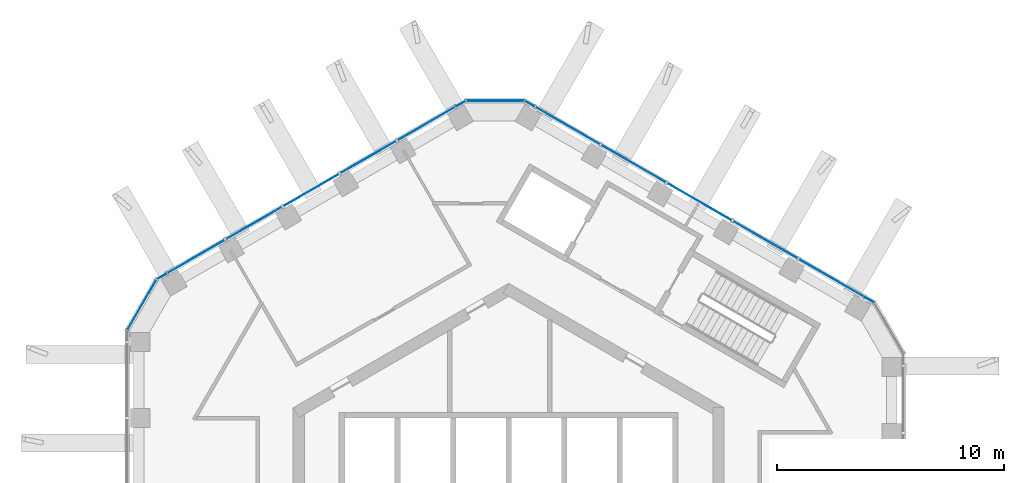
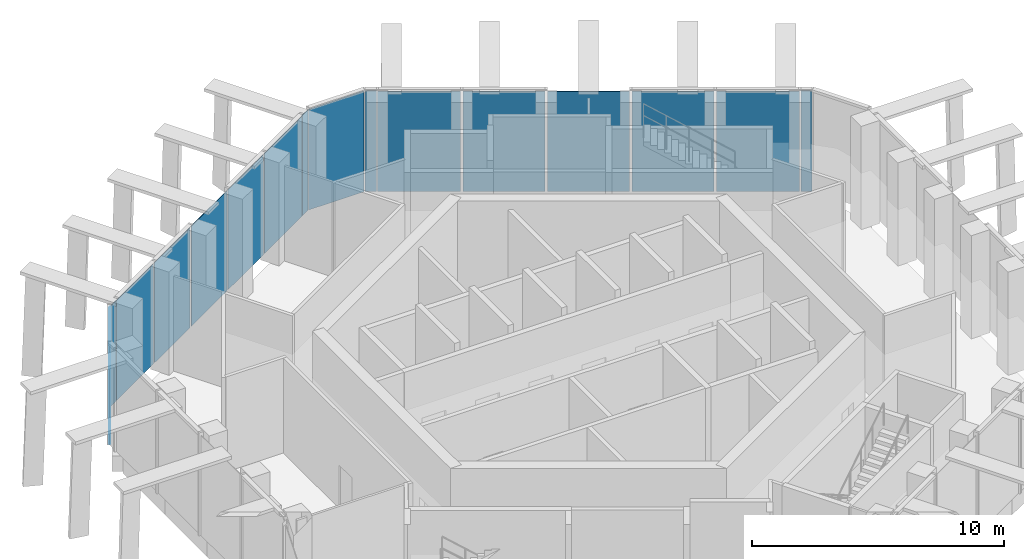
# One storey, part 10 of 17: 16 plates, 5 elements without a shape of their own.
"""IFC4 building model written with IfcOpenShell, lengths in metres."""

from ifc_helpers import new_model, si_unit, direction, frame, origin, origin_2d, place, context, subcontext, project, spatial, rectangle, extrude, material, layer, layer_set, type_object, element, aggregate, save


model = new_model("IFC4")

# Units and contexts
model_context = context("Model", 3, precision=1e-05, world=origin(), true_north=direction((0.0, 1.0)))
body_context = subcontext(model_context, "Body", "Model", "MODEL_VIEW")
ifc_project = project(units=[si_unit("LENGTHUNIT", "METRE"), si_unit("AREAUNIT", "SQUARE_METRE"), si_unit("VOLUMEUNIT", "CUBIC_METRE"), si_unit("PLANEANGLEUNIT", "RADIAN"), si_unit("MASSUNIT", "GRAM", prefix="KILO")], contexts=[model_context])

# Site, building, storey
site_placement = place(None, origin())
site = spatial("IfcSite", under=ifc_project, at=site_placement, CompositionType="ELEMENT")
building_placement = place(site_placement, origin())
building = spatial("IfcBuilding", under=site, at=building_placement, Name="Ayvan Gate Tower", CompositionType="ELEMENT")
storey_placement = place(building_placement, frame((0.0, 0.0, 252.89990234375)))
storey = spatial("IfcBuildingStorey", under=building, at=storey_placement, Name="L68", CompositionType="ELEMENT", Elevation=252.89990234375)

# Curtain wall, plates
ifc_material_1 = material(Name="Bronze anodised aluminium", Category="aluminium")
ifc_layer_1 = layer(ifc_material_1, 0.199951171875)
ifc_layer_set_1 = layer_set([ifc_layer_1], Name="Bronze anodised aluminium")
curtain_wall_type_1 = type_object("IfcCurtainWallType", Name="Stick curtain wall CW-5", PredefinedType="NOTDEFINED", material=ifc_layer_set_1)
curtain_wall_1_placement = place(storey_placement, origin())
curtain_wall_1 = element("IfcCurtainWall", 1, at=curtain_wall_1_placement, inside=storey, type_object=curtain_wall_type_1, Name="Stick curtain wall CW-5 L68", PredefinedType="NOTDEFINED")
ifc_material_2 = material(Name="Clear low-iron laminated glass", Category="glass")
ifc_layer_2 = layer(ifc_material_2, 0.028076171875)
ifc_layer_set_2 = layer_set([ifc_layer_2], Name="Clear low-iron laminated glass")
plate_type_1 = type_object("IfcPlateType", Name="Stick curtain wall CW-5 glass panel", PredefinedType="CURTAIN_PANEL", material=ifc_layer_set_2)
plate_1_placement = place(storey_placement, frame((-3.609130859375, 18.0224609375, 0.0), z_axis=(0.0, 0.0, 1.0), x_axis=(-0.866025403784, -0.5, 0.0)))
plate_1 = element("IfcPlate", 2, at=plate_1_placement, type_object=plate_type_1, Name="CW-5 glass panel 1", PredefinedType="CURTAIN_PANEL", context=body_context, shape_type="SweptSolid", body=[
    extrude(rectangle(XDim=2.94189453125, YDim=0.028076171875, at=origin_2d()), origin(), (0.0, 0.0, 1.0), 4.85009765625),
])
plate_2_placement = place(storey_placement, frame((-6.183349609375, 16.536376953125, 0.0), z_axis=(0.0, 0.0, 1.0), x_axis=(-0.866025403784, -0.5, 0.0)))
plate_2 = element("IfcPlate", 3, at=plate_2_placement, type_object=plate_type_1, Name="CW-5 glass panel 2", PredefinedType="CURTAIN_PANEL", context=body_context, shape_type="SweptSolid", body=[
    extrude(rectangle(XDim=2.822998046875, YDim=0.028076171875, at=origin_2d()), origin(), (0.0, 0.0, 1.0), 4.85009765625),
])
plate_3_placement = place(storey_placement, frame((-8.7060546875, 15.079833984375, 0.0), z_axis=(0.0, 0.0, 1.0), x_axis=(-0.866025403784, -0.5, 0.0)))
plate_3 = element("IfcPlate", 4, at=plate_3_placement, type_object=plate_type_1, Name="CW-5 glass panel 3", PredefinedType="CURTAIN_PANEL", context=body_context, shape_type="SweptSolid", body=[
    extrude(rectangle(XDim=2.822998046875, YDim=0.028076171875, at=origin_2d()), origin(), (0.0, 0.0, 1.0), 4.85009765625),
])
plate_4_placement = place(storey_placement, frame((-11.228759765625, 13.623291015625, 0.0), z_axis=(0.0, 0.0, 1.0), x_axis=(-0.866025403784, -0.5, 0.0)))
plate_4 = element("IfcPlate", 5, at=plate_4_placement, type_object=plate_type_1, Name="CW-5 glass panel 4", PredefinedType="CURTAIN_PANEL", context=body_context, shape_type="SweptSolid", body=[
    extrude(rectangle(XDim=2.822998046875, YDim=0.028076171875, at=origin_2d()), origin(), (0.0, 0.0, 1.0), 4.85009765625),
])
plate_5_placement = place(storey_placement, frame((-13.80322265625, 12.136962890625, 0.0), z_axis=(0.0, 0.0, 1.0), x_axis=(-0.866025403784, -0.5, 0.0)))
plate_5 = element("IfcPlate", 6, at=plate_5_placement, type_object=plate_type_1, Name="CW-5 glass panel 5", PredefinedType="CURTAIN_PANEL", context=body_context, shape_type="SweptSolid", body=[
    extrude(rectangle(XDim=2.942626953125, YDim=0.028076171875, at=origin_2d()), origin(), (0.0, 0.0, 1.0), 4.85009765625),
])
aggregate(curtain_wall_1, [plate_1, plate_2, plate_3, plate_4, plate_5])

curtain_wall_2_placement = place(storey_placement, origin())
curtain_wall_2 = element("IfcCurtainWall", 7, at=curtain_wall_2_placement, inside=storey, type_object=curtain_wall_type_1, Name="Stick curtain wall CW-5 L68", PredefinedType="NOTDEFINED")
plate_6_placement = place(storey_placement, frame((14.238525390625, 11.200439453125, 0.0), z_axis=(0.0, 0.0, 1.0), x_axis=(-0.866025403784, 0.5, 0.0)))
plate_6 = element("IfcPlate", 8, at=plate_6_placement, type_object=plate_type_1, Name="CW-5 glass panel 1", PredefinedType="CURTAIN_PANEL", context=body_context, shape_type="SweptSolid", body=[
    extrude(rectangle(XDim=3.30810546875, YDim=0.028076171875, at=origin_2d()), origin(), (0.0, 0.0, 1.0), 4.85009765625),
])
plate_7_placement = place(storey_placement, frame((11.314453125, 12.888671875, 0.0), z_axis=(0.0, 0.0, 1.0), x_axis=(-0.866025403784, 0.5, 0.0)))
plate_7 = element("IfcPlate", 9, at=plate_7_placement, type_object=plate_type_1, Name="CW-5 glass panel 2", PredefinedType="CURTAIN_PANEL", context=body_context, shape_type="SweptSolid", body=[
    extrude(rectangle(XDim=3.264892578125, YDim=0.028076171875, at=origin_2d()), origin(), (0.0, 0.0, 1.0), 4.85009765625),
])
plate_8_placement = place(storey_placement, frame((8.4091796875, 14.56591796875, 0.0), z_axis=(0.0, 0.0, 1.0), x_axis=(-0.866025403784, 0.5, 0.0)))
plate_8 = element("IfcPlate", 10, at=plate_8_placement, type_object=plate_type_1, Name="CW-5 glass panel 3", PredefinedType="CURTAIN_PANEL", context=body_context, shape_type="SweptSolid", body=[
    extrude(rectangle(XDim=3.263916015625, YDim=0.028076171875, at=origin_2d()), origin(), (0.0, 0.0, 1.0), 4.85009765625),
])
plate_9_placement = place(storey_placement, frame((5.504638671875, 16.242919921875, 0.0), z_axis=(0.0, 0.0, 1.0), x_axis=(-0.866025403784, 0.5, 0.0)))
plate_9 = element("IfcPlate", 11, at=plate_9_placement, type_object=plate_type_1, Name="CW-5 glass panel 4", PredefinedType="CURTAIN_PANEL", context=body_context, shape_type="SweptSolid", body=[
    extrude(rectangle(XDim=3.263916015625, YDim=0.028076171875, at=origin_2d()), origin(), (0.0, 0.0, 1.0), 4.85009765625),
])
plate_10_placement = place(storey_placement, frame((2.580810546875, 17.930908203125, 0.0), z_axis=(0.0, 0.0, 1.0), x_axis=(-0.866025403784, 0.5, 0.0)))
plate_10 = element("IfcPlate", 12, at=plate_10_placement, type_object=plate_type_1, Name="CW-5 glass panel 5", PredefinedType="CURTAIN_PANEL", context=body_context, shape_type="SweptSolid", body=[
    extrude(rectangle(XDim=3.308349609375, YDim=0.028076171875, at=origin_2d()), origin(), (0.0, 0.0, 1.0), 4.85009765625),
])
aggregate(curtain_wall_2, [plate_6, plate_7, plate_8, plate_9, plate_10])

ifc_layer_3 = layer(ifc_material_1, 0.199951171875)
ifc_layer_set_3 = layer_set([ifc_layer_3], Name="Bronze anodised aluminium")
curtain_wall_type_2 = type_object("IfcCurtainWallType", Name="Stick curtain wall CW-6", PredefinedType="NOTDEFINED", material=ifc_layer_set_3)
curtain_wall_3_placement = place(storey_placement, origin())
curtain_wall_3 = element("IfcCurtainWall", 13, at=curtain_wall_3_placement, inside=storey, type_object=curtain_wall_type_2, Name="Stick curtain wall CW-6 L68", PredefinedType="NOTDEFINED")
ifc_layer_4 = layer(ifc_material_2, 0.028076171875)
ifc_layer_set_4 = layer_set([ifc_layer_4], Name="Clear low-iron laminated glass")
plate_type_2 = type_object("IfcPlateType", Name="Stick curtain wall CW-6 glass panel", PredefinedType="CURTAIN_PANEL", material=ifc_layer_set_4)
plate_11_placement = place(storey_placement, frame((-15.311279296875, 11.266357421875, 0.000244140625), z_axis=(0.0, 0.0, 1.0), x_axis=(-0.866025403784, -0.5, 0.0)))
plate_11 = element("IfcPlate", 14, at=plate_11_placement, type_object=plate_type_2, Name="CW-6 glass panel 1", PredefinedType="CURTAIN_PANEL", context=body_context, shape_type="SweptSolid", body=[
    extrude(rectangle(XDim=0.449951171875, YDim=0.028076171875, at=origin_2d()), origin(), (0.0, 0.0, 1.0), 4.8798828125),
])
plate_12_placement = place(storey_placement, frame((-16.17333984375, 10.02294921875, 0.000244140625), z_axis=(0.0, 0.0, 1.0), x_axis=(-0.5, -0.866025403784, 0.0)))
plate_12 = element("IfcPlate", 15, at=plate_12_placement, type_object=plate_type_2, Name="CW-6 glass panel 2", PredefinedType="CURTAIN_PANEL", context=body_context, shape_type="SweptSolid", body=[
    extrude(rectangle(XDim=2.532470703125, YDim=0.028076171875, at=origin_2d()), origin(), (0.0, 0.0, 1.0), 4.8798828125),
])
aggregate(curtain_wall_3, [plate_11, plate_12])

# Curtain wall, plate
curtain_wall_4_placement = place(storey_placement, origin())
curtain_wall_4 = element("IfcCurtainWall", 16, at=curtain_wall_4_placement, inside=storey, type_object=curtain_wall_type_2, Name="Stick curtain wall CW-6 L68", PredefinedType="NOTDEFINED")
plate_13_placement = place(storey_placement, frame((15.90478515625, 10.23828125, 0.000244140625), z_axis=(0.0, 0.0, 1.0), x_axis=(-0.866025403784, 0.5, 0.0)))
plate_13 = element("IfcPlate", 17, at=plate_13_placement, type_object=plate_type_2, Name="CW-6 glass panel 3", PredefinedType="CURTAIN_PANEL", context=body_context, shape_type="SweptSolid", body=[
    extrude(rectangle(XDim=0.449951171875, YDim=0.028076171875, at=origin_2d()), origin(), (0.0, 0.0, 1.0), 4.8798828125),
])
aggregate(curtain_wall_4, [plate_13])

# Curtain wall, plates
curtain_wall_5_placement = place(storey_placement, origin())
curtain_wall_5 = element("IfcCurtainWall", 18, at=curtain_wall_5_placement, inside=storey, type_object=curtain_wall_type_2, Name="Stick curtain wall CW-6 L68", PredefinedType="NOTDEFINED")
plate_14_placement = place(storey_placement, frame((0.914306640625, 18.89306640625, 0.000244140625), z_axis=(0.0, 0.0, 1.0), x_axis=(-0.866025403784, 0.5, 0.0)))
plate_14 = element("IfcPlate", 19, at=plate_14_placement, type_object=plate_type_2, Name="CW-6 glass panel 1", PredefinedType="CURTAIN_PANEL", context=body_context, shape_type="SweptSolid", body=[
    extrude(rectangle(XDim=0.449951171875, YDim=0.028076171875, at=origin_2d()), origin(), (0.0, 0.0, 1.0), 4.8798828125),
])
plate_15_placement = place(storey_placement, frame((-0.593505859375, 19.01806640625, 0.000244140625), z_axis=(0.0, 0.0, 1.0), x_axis=(-1.0, 0.0, 0.0)))
plate_15 = element("IfcPlate", 20, at=plate_15_placement, type_object=plate_type_2, Name="CW-6 glass panel 2", PredefinedType="CURTAIN_PANEL", context=body_context, shape_type="SweptSolid", body=[
    extrude(rectangle(XDim=2.532470703125, YDim=0.028076171875, at=origin_2d()), origin(), (0.0, 0.0, 1.0), 4.8798828125),
])
plate_16_placement = place(storey_placement, frame((-2.101318359375, 18.89306640625, 0.000244140625), z_axis=(0.0, 0.0, 1.0), x_axis=(-0.866025403784, -0.5, 0.0)))
plate_16 = element("IfcPlate", 21, at=plate_16_placement, type_object=plate_type_2, Name="CW-6 glass panel 3", PredefinedType="CURTAIN_PANEL", context=body_context, shape_type="SweptSolid", body=[
    extrude(rectangle(XDim=0.449951171875, YDim=0.028076171875, at=origin_2d()), origin(), (0.0, 0.0, 1.0), 4.8798828125),
])
aggregate(curtain_wall_5, [plate_14, plate_15, plate_16])

save(model, "model.ifc")
